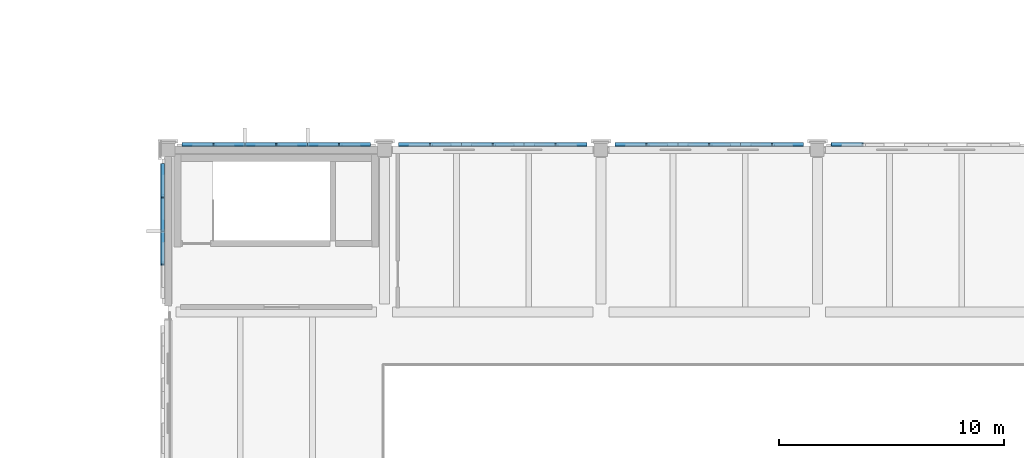
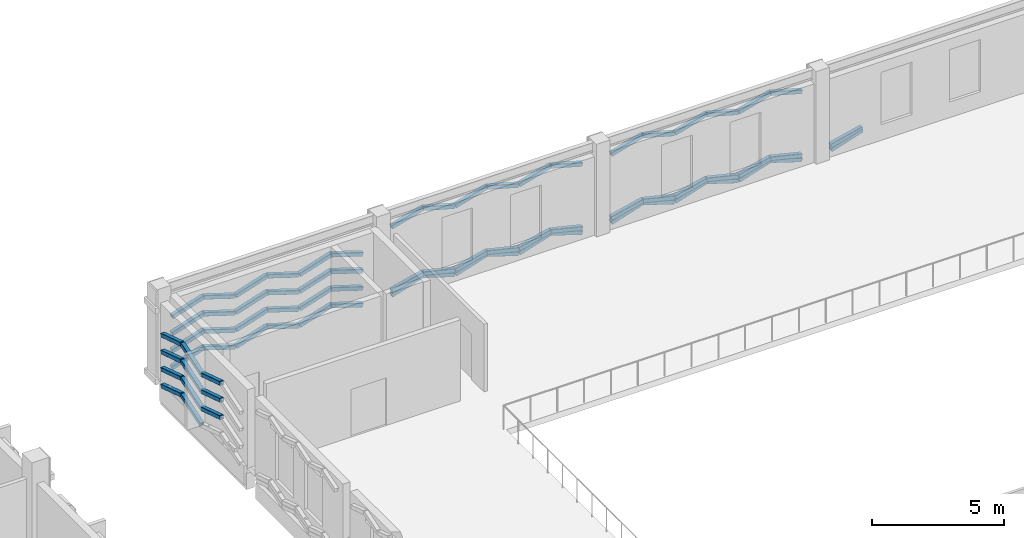
# One storey, part 143 of 180: 73 plates.
"""IFC4 building model written with IfcOpenShell, lengths in metres."""

import ifcopenshell
import ifcopenshell.guid

model = None  # the IFC model being written
_history = None  # IfcOwnerHistory: only IFC2X3 demands one
_inside = {}  # id of a spatial element -> (the spatial element, [elements in it])
_under = {}  # id of a project, library or spatial element -> (it, [spatial elements below it])
_declared = {}  # id of a project -> (the project, [libraries it declares])
_typed = {}  # id of a type object -> (the type object, [elements of that type])
_made_of = {}  # id of a material, layer set ... -> (it, [elements and type objects made of it])


def new_model(schema):
    """Start an empty IFC model of exactly this schema.

    Asked for "IFC4X3", IfcOpenShell would pick the latest addendum, in which some entities
    have other attributes; the version numbers below select the first issue.
    IFC2X3 requires an IfcOwnerHistory on every rooted entity: one is made here for all.
    """
    global model, _history
    if schema == "IFC4X3":
        model = ifcopenshell.file(schema_version=(4, 3, 0, 0))
    else:
        model = ifcopenshell.file(schema=schema)
    _inside.clear()
    _under.clear()
    _declared.clear()
    _typed.clear()
    _made_of.clear()
    _history = None
    if model.schema == "IFC2X3":
        org = make("IfcOrganization", Name="unknown")
        user = make(
            "IfcPersonAndOrganization",
            ThePerson=make("IfcPerson", FamilyName="unknown"),
            TheOrganization=org,
        )
        app = make(
            "IfcApplication",
            ApplicationDeveloper=org,
            Version="unknown",
            ApplicationFullName="unknown",
            ApplicationIdentifier="unknown",
        )
        _history = make(
            "IfcOwnerHistory",
            OwningUser=user,
            OwningApplication=app,
            ChangeAction="ADDED",
            CreationDate=0,
        )
    return model


def make(cls, **values):
    """One entity of the class cls with the attributes given. An attribute that is None is left unset."""
    return model.create_entity(
        cls, **{name: value for name, value in values.items() if value is not None}
    )


def rooted(cls, **values):
    """An entity with a GlobalId (a new one), such as an element, a storey or a relation."""
    return make(cls, GlobalId=ifcopenshell.guid.new(), OwnerHistory=_history, **values)


def si_unit(unit_type, name, prefix=None):
    """IfcSIUnit, for example si_unit("LENGTHUNIT", "METRE", prefix="MILLI")."""
    return make("IfcSIUnit", UnitType=unit_type, Prefix=prefix, Name=name)


def assignment(units):
    """IfcUnitAssignment: the units of a project."""
    return None if units is None else make("IfcUnitAssignment", Units=units)


def point(xyz):
    """IfcCartesianPoint."""
    return None if xyz is None else make("IfcCartesianPoint", Coordinates=xyz)


def direction(xyz):
    """IfcDirection."""
    return None if xyz is None else make("IfcDirection", DirectionRatios=xyz)


def frame(location, z_axis=None, x_axis=None):
    """IfcAxis2Placement3D, a coordinate frame: its origin and axes. An axis left out is left unset."""
    return make(
        "IfcAxis2Placement3D",
        Location=point(location),
        Axis=direction(z_axis),
        RefDirection=direction(x_axis),
    )


def frame_2d(location, x_axis=None):
    """IfcAxis2Placement2D, a coordinate frame in the plane: its origin and x axis."""
    return make(
        "IfcAxis2Placement2D", Location=point(location), RefDirection=direction(x_axis)
    )


def origin():
    """The frame at (0, 0, 0) with its axes left unset."""
    return frame((0.0, 0.0, 0.0))


def origin_2d():
    """The frame at (0, 0) in the plane with its x axis left unset."""
    return frame_2d((0.0, 0.0))


def place(relative_to, where):
    """IfcLocalPlacement: puts the frame where relative to a parent placement (None: the world)."""
    return make(
        "IfcLocalPlacement", PlacementRelTo=relative_to, RelativePlacement=where
    )


def context(
    kind, dimensions, precision=None, world=None, true_north=None, identifier=None
):
    """IfcGeometricRepresentationContext, for example the 3D "Model" context."""
    return make(
        "IfcGeometricRepresentationContext",
        ContextIdentifier=identifier,
        ContextType=kind,
        CoordinateSpaceDimension=dimensions,
        Precision=precision,
        WorldCoordinateSystem=world,
        TrueNorth=true_north,
    )


def subcontext(parent, identifier, kind, view, scale=None):
    """IfcGeometricRepresentationSubContext, for example "Body" below "Model"."""
    return make(
        "IfcGeometricRepresentationSubContext",
        ContextIdentifier=identifier,
        ContextType=kind,
        ParentContext=parent,
        TargetScale=scale,
        TargetView=view,
    )


def project(units=None, contexts=None):
    """IfcProject with its units and contexts."""
    return rooted(
        "IfcProject",
        Name="project",
        RepresentationContexts=contexts,
        UnitsInContext=assignment(units),
    )


def spatial(cls, under=None, at=None, **own):
    """A site, building, storey or space (cls), placed at a placement, below another one or the project."""
    s = rooted(cls, ObjectPlacement=at, **own)
    if under is not None:
        _under.setdefault(under.id(), (under, []))[1].append(s)
    return s


def profile(cls, at=None, kind="AREA", **sizes):
    """A parametric profile (cls). Its sizes go by their IFC names, for example OverallWidth=200.0."""
    return make(cls, ProfileType=kind, Position=at, **sizes)


def hollow_rectangle(**sizes):
    """IfcRectangleHollowProfileDef."""
    return profile("IfcRectangleHollowProfileDef", **sizes)


def extrude(swept, where, along, depth):
    """IfcExtrudedAreaSolid: the profile swept, set in the frame where, extruded along a direction by depth."""
    return make(
        "IfcExtrudedAreaSolid",
        SweptArea=swept,
        Position=where,
        ExtrudedDirection=direction(along),
        Depth=depth,
    )


def shape(context_of_items, identifier, shape_type, items):
    """IfcShapeRepresentation: the items that make up one representation, for example the "Body"."""
    return make(
        "IfcShapeRepresentation",
        ContextOfItems=context_of_items,
        RepresentationIdentifier=identifier,
        RepresentationType=shape_type,
        Items=items,
    )


def material(Name=None, Category=None):
    """IfcMaterial."""
    return make("IfcMaterial", Name=Name, Category=Category)


def material_profile(
    of_material, cross_section, Name=None, Category=None, Priority=None
):
    """IfcMaterialProfile: a cross section and its material."""
    return make(
        "IfcMaterialProfile",
        Name=Name,
        Material=of_material,
        Profile=cross_section,
        Priority=Priority,
        Category=Category,
    )


def profile_set(profiles, Name=None, composite=None):
    """IfcMaterialProfileSet."""
    return make(
        "IfcMaterialProfileSet",
        Name=Name,
        MaterialProfiles=profiles,
        CompositeProfile=composite,
    )


def made_of(thing, what):
    """Note that an element or type object is made of a material, layer set ...; save() writes the relation."""
    if what is not None:
        _made_of.setdefault(what.id(), (what, []))[1].append(thing)
    return thing


def type_object(cls, material=None, **own):
    """A type object (cls), such as IfcWallType, which elements share."""
    return made_of(rooted(cls, **own), material)


def element(
    cls,
    number,
    at=None,
    inside=None,
    cuts=None,
    type_object=None,
    material=None,
    context=None,
    identifier="Body",
    shape_type=None,
    held_by="IfcProductDefinitionShape",
    body=None,
    shapes=None,
    **own,
):
    """One element of the class cls, such as IfcWall. Its Tag is "e" and its number.

    at: its placement. inside: the storey or other place that contains it. cuts: it is an
    opening in that element (IfcRelVoidsElement). A single representation is given by context,
    identifier, shape_type and body (its items); several are given by shapes. held_by: the class
    of the entity that holds the representations. save() writes the other relations.
    """
    e = rooted(cls, Tag="e%d" % number, ObjectPlacement=at, **own)
    if body is not None:
        shapes = [shape(context, identifier, shape_type, body)]
    if shapes is not None:
        e.Representation = make(held_by, Representations=shapes)
    if inside is not None:
        _inside.setdefault(inside.id(), (inside, []))[1].append(e)
    if cuts is not None:
        rooted(
            "IfcRelVoidsElement", RelatingBuildingElement=cuts, RelatedOpeningElement=e
        )
    if type_object is not None:
        _typed.setdefault(type_object.id(), (type_object, []))[1].append(e)
    return made_of(e, material)


def aggregate(whole, parts):
    """IfcRelAggregates: a whole, such as a stair, and the parts it consists of."""
    return rooted("IfcRelAggregates", RelatingObject=whole, RelatedObjects=parts)


def save(model, path):
    """Write the relations noted so far, then the file.

    IfcRelAggregates (storeys below a building ...), IfcRelContainedInSpatialStructure (elements
    in a storey), IfcRelDefinesByType, IfcRelAssociatesMaterial and IfcRelDeclares: one each for
    every whole, place, type object, material and project.
    """
    for whole, parts in _under.values():
        aggregate(whole, parts)
    for where, things in _inside.values():
        rooted(
            "IfcRelContainedInSpatialStructure",
            RelatedElements=things,
            RelatingStructure=where,
        )
    for kind, things in _typed.values():
        rooted("IfcRelDefinesByType", RelatedObjects=things, RelatingType=kind)
    for what, things in _made_of.values():
        rooted("IfcRelAssociatesMaterial", RelatedObjects=things, RelatingMaterial=what)
    for by, libraries in _declared.values():
        rooted("IfcRelDeclares", RelatingContext=by, RelatedDefinitions=libraries)
    model.write(path)


model = new_model("IFC4")

# Units and contexts
model_context = context("Model", 3, precision=1e-05, world=origin(), true_north=direction((0.0, 1.0)))
body_context = subcontext(model_context, "Body", "Model", "MODEL_VIEW")
ifc_project = project(units=[si_unit("LENGTHUNIT", "METRE"), si_unit("AREAUNIT", "SQUARE_METRE"), si_unit("VOLUMEUNIT", "CUBIC_METRE"), si_unit("PLANEANGLEUNIT", "RADIAN"), si_unit("MASSUNIT", "GRAM", prefix="KILO")], contexts=[model_context])

# Site, building, storey
site_placement = place(None, origin())
site = spatial("IfcSite", under=ifc_project, at=site_placement, CompositionType="ELEMENT")
building_placement = place(site_placement, origin())
building = spatial("IfcBuilding", under=site, at=building_placement, Name="Asteropetra Specialist Clinic", CompositionType="ELEMENT")
storey_placement = place(building_placement, frame((0.0, 0.0, 4.419921875)))
storey = spatial("IfcBuildingStorey", under=building, at=storey_placement, Name="L01", CompositionType="ELEMENT", Elevation=4.419921875)

# Plates
ifc_material = material(Name="Chevron emerald aluminium 6063-T6", Category="aluminium")
ifc_material_profile = material_profile(ifc_material, hollow_rectangle(XDim=0.179931640625, YDim=0.179931640625, WallThickness=0.010009765625, InnerFilletRadius=0.008056640625, OuterFilletRadius=0.01611328125, at=origin_2d()), Name="SHS 180x180x10.0")
ifc_profile_set = profile_set([ifc_material_profile], Name="Chevron emerald aluminium 6063-T6")
plate_type = type_object("IfcPlateType", Name="CHV-RIB-180", PredefinedType="SHEET", material=ifc_profile_set)
plate_1_placement = place(storey_placement, frame((95.360107421875, 105.842041015625, 0.050048828125), z_axis=(-0.952473286797, 0.0, 0.304622123191), x_axis=(0.0, -1.0, 0.0)))
element("IfcPlate", 1, at=plate_1_placement, inside=storey, type_object=plate_type, Name="Chevron Facade Screen Fin CVR-0019", PredefinedType="SHEET", context=body_context, shape_type="SweptSolid", body=[
    extrude(hollow_rectangle(XDim=0.179931640625, YDim=0.179931640625, WallThickness=0.010009765625, InnerFilletRadius=0.008056640625, OuterFilletRadius=0.01611328125, at=origin_2d()), origin(), (0.0, 0.0, 1.0), 1.44189453125),
])
plate_2_placement = place(storey_placement, frame((93.98681640625, 105.842041015625, 0.4892578125), z_axis=(-0.952488995782, 0.0, -0.304573000962), x_axis=(0.0, -1.0, 0.0)))
element("IfcPlate", 2, at=plate_2_placement, inside=storey, type_object=plate_type, Name="Chevron Facade Screen Fin CVR-0020", PredefinedType="SHEET", context=body_context, shape_type="SweptSolid", body=[
    extrude(hollow_rectangle(XDim=0.179931640625, YDim=0.179931640625, WallThickness=0.010009765625, InnerFilletRadius=0.008056640625, OuterFilletRadius=0.01611328125, at=origin_2d()), origin(), (0.0, 0.0, 1.0), 1.442138671875),
])
plate_3_placement = place(storey_placement, frame((95.360107421875, 105.842041015625, 0.820068359375), z_axis=(-0.952473286797, 0.0, 0.304622123191), x_axis=(0.0, -1.0, 0.0)))
element("IfcPlate", 3, at=plate_3_placement, inside=storey, type_object=plate_type, Name="Chevron Facade Screen Fin CVR-0021", PredefinedType="SHEET", context=body_context, shape_type="SweptSolid", body=[
    extrude(hollow_rectangle(XDim=0.179931640625, YDim=0.179931640625, WallThickness=0.010009765625, InnerFilletRadius=0.008056640625, OuterFilletRadius=0.01611328125, at=origin_2d()), origin(), (0.0, 0.0, 1.0), 1.44189453125),
])
plate_4_placement = place(storey_placement, frame((93.98681640625, 105.842041015625, 1.25927734375), z_axis=(-0.952488995782, 0.0, -0.304573000962), x_axis=(0.0, -1.0, 0.0)))
element("IfcPlate", 4, at=plate_4_placement, inside=storey, type_object=plate_type, Name="Chevron Facade Screen Fin CVR-0022", PredefinedType="SHEET", context=body_context, shape_type="SweptSolid", body=[
    extrude(hollow_rectangle(XDim=0.179931640625, YDim=0.179931640625, WallThickness=0.010009765625, InnerFilletRadius=0.008056640625, OuterFilletRadius=0.01611328125, at=origin_2d()), origin(), (0.0, 0.0, 1.0), 1.442138671875),
])
plate_5_placement = place(storey_placement, frame((95.360107421875, 105.842041015625, 1.6201171875), z_axis=(-0.952473286797, 0.0, 0.304622123191), x_axis=(0.0, -1.0, 0.0)))
element("IfcPlate", 5, at=plate_5_placement, inside=storey, type_object=plate_type, Name="Chevron Facade Screen Fin CVR-0023", PredefinedType="SHEET", context=body_context, shape_type="SweptSolid", body=[
    extrude(hollow_rectangle(XDim=0.179931640625, YDim=0.179931640625, WallThickness=0.010009765625, InnerFilletRadius=0.008056640625, OuterFilletRadius=0.01611328125, at=origin_2d()), origin(), (0.0, 0.0, 1.0), 1.44189453125),
])
plate_6_placement = place(storey_placement, frame((93.98681640625, 105.842041015625, 2.059326171875), z_axis=(-0.952488995782, 0.0, -0.304573000962), x_axis=(0.0, -1.0, 0.0)))
element("IfcPlate", 6, at=plate_6_placement, inside=storey, type_object=plate_type, Name="Chevron Facade Screen Fin CVR-0024", PredefinedType="SHEET", context=body_context, shape_type="SweptSolid", body=[
    extrude(hollow_rectangle(XDim=0.179931640625, YDim=0.179931640625, WallThickness=0.010009765625, InnerFilletRadius=0.008056640625, OuterFilletRadius=0.01611328125, at=origin_2d()), origin(), (0.0, 0.0, 1.0), 1.442138671875),
])
plate_7_placement = place(storey_placement, frame((95.360107421875, 105.842041015625, 2.400146484375), z_axis=(-0.952473286797, 0.0, 0.304622123191), x_axis=(0.0, -1.0, 0.0)))
element("IfcPlate", 7, at=plate_7_placement, inside=storey, type_object=plate_type, Name="Chevron Facade Screen Fin CVR-0025", PredefinedType="SHEET", context=body_context, shape_type="SweptSolid", body=[
    extrude(hollow_rectangle(XDim=0.179931640625, YDim=0.179931640625, WallThickness=0.010009765625, InnerFilletRadius=0.008056640625, OuterFilletRadius=0.01611328125, at=origin_2d()), origin(), (0.0, 0.0, 1.0), 1.44189453125),
])
plate_8_placement = place(storey_placement, frame((93.98681640625, 105.842041015625, 2.83935546875), z_axis=(-0.952488995782, 0.0, -0.304573000962), x_axis=(0.0, -1.0, 0.0)))
element("IfcPlate", 8, at=plate_8_placement, inside=storey, type_object=plate_type, Name="Chevron Facade Screen Fin CVR-0026", PredefinedType="SHEET", context=body_context, shape_type="SweptSolid", body=[
    extrude(hollow_rectangle(XDim=0.179931640625, YDim=0.179931640625, WallThickness=0.010009765625, InnerFilletRadius=0.008056640625, OuterFilletRadius=0.01611328125, at=origin_2d()), origin(), (0.0, 0.0, 1.0), 1.442138671875),
])
for number, where, z_axis, x_axis, name in (
    (9, (92.5732421875, 105.842041015625, 0.050048828125), (-0.952473286797, 0.0, 0.304622123191), (0.0, -1.0, 0.0), "Chevron Facade Screen Fin CVR-0027"),
    (10, (91.199951171875, 105.842041015625, 0.4892578125), (-0.952473286797, 0.0, -0.304622123191), (0.0, -1.0, 0.0), "Chevron Facade Screen Fin CVR-0028"),
    (11, (92.5732421875, 105.842041015625, 0.820068359375), (-0.952473286797, 0.0, 0.304622123191), (0.0, -1.0, 0.0), "Chevron Facade Screen Fin CVR-0029"),
    (12, (91.199951171875, 105.842041015625, 1.25927734375), (-0.952473286797, 0.0, -0.304622123191), (0.0, -1.0, 0.0), "Chevron Facade Screen Fin CVR-0030"),
    (13, (92.5732421875, 105.842041015625, 1.6201171875), (-0.952473286797, 0.0, 0.304622123191), (0.0, -1.0, 0.0), "Chevron Facade Screen Fin CVR-0031"),
    (14, (91.199951171875, 105.842041015625, 2.059326171875), (-0.952473286797, 0.0, -0.304622123191), (0.0, -1.0, 0.0), "Chevron Facade Screen Fin CVR-0032"),
    (15, (92.5732421875, 105.842041015625, 2.400146484375), (-0.952473286797, 0.0, 0.304622123191), (0.0, -1.0, 0.0), "Chevron Facade Screen Fin CVR-0033"),
    (16, (91.199951171875, 105.842041015625, 2.83935546875), (-0.952473286797, 0.0, -0.304622123191), (0.0, -1.0, 0.0), "Chevron Facade Screen Fin CVR-0034"),
    (17, (89.78662109375, 105.842041015625, 0.050048828125), (-0.952473286797, 0.0, 0.304622123191), (0.0, -1.0, 0.0), "Chevron Facade Screen Fin CVR-0035"),
    (18, (88.413330078125, 105.842041015625, 0.4892578125), (-0.952473286797, 0.0, -0.304622123191), (0.0, -1.0, 0.0), "Chevron Facade Screen Fin CVR-0036"),
    (19, (89.78662109375, 105.842041015625, 0.820068359375), (-0.952473286797, 0.0, 0.304622123191), (0.0, -1.0, 0.0), "Chevron Facade Screen Fin CVR-0037"),
    (20, (88.413330078125, 105.842041015625, 1.25927734375), (-0.952473286797, 0.0, -0.304622123191), (0.0, -1.0, 0.0), "Chevron Facade Screen Fin CVR-0038"),
    (21, (89.78662109375, 105.842041015625, 1.6201171875), (-0.952473286797, 0.0, 0.304622123191), (0.0, -1.0, 0.0), "Chevron Facade Screen Fin CVR-0039"),
    (22, (88.413330078125, 105.842041015625, 2.059326171875), (-0.952473286797, 0.0, -0.304622123191), (0.0, -1.0, 0.0), "Chevron Facade Screen Fin CVR-0040"),
    (23, (89.78662109375, 105.842041015625, 2.400146484375), (-0.952473286797, 0.0, 0.304622123191), (0.0, -1.0, 0.0), "Chevron Facade Screen Fin CVR-0041"),
    (24, (88.413330078125, 105.842041015625, 2.83935546875), (-0.952473286797, 0.0, -0.304622123191), (0.0, -1.0, 0.0), "Chevron Facade Screen Fin CVR-0042"),
    (25, (104.9599609375, 105.842041015625, 0.0400390625), (-0.952424147199, 0.0, 0.304775727104), (0.0, -1.0, 0.0), "Chevron Facade Screen Fin CVR-0061"),
    (26, (103.586669921875, 105.842041015625, 0.4794921875), (-0.952424147199, 0.0, -0.304775727104), (0.0, -1.0, 0.0), "Chevron Facade Screen Fin CVR-0062"),
):
    element("IfcPlate", number, at=place(storey_placement, frame(where, z_axis=z_axis, x_axis=x_axis)), inside=storey, type_object=plate_type, Name=name, PredefinedType="SHEET", context=body_context, shape_type="SweptSolid", body=[
        extrude(hollow_rectangle(XDim=0.179931640625, YDim=0.179931640625, WallThickness=0.010009765625, InnerFilletRadius=0.008056640625, OuterFilletRadius=0.01611328125, at=origin_2d()), origin(), (0.0, 0.0, 1.0), 1.44189453125),
    ])
for number, where, z_axis, x_axis, name in (
    (27, (104.9599609375, 105.842041015625, 0.239990234375), (-0.972308795496, 0.0, 0.233699820713), (0.0, -1.0, 0.0), "Chevron Facade Screen Fin CVR-0063"),
    (28, (103.586669921875, 105.842041015625, 0.570068359375), (-0.972308795496, 0.0, -0.233699820713), (0.0, -1.0, 0.0), "Chevron Facade Screen Fin CVR-0064"),
):
    element("IfcPlate", number, at=place(storey_placement, frame(where, z_axis=z_axis, x_axis=x_axis)), inside=storey, type_object=plate_type, Name=name, PredefinedType="SHEET", context=body_context, shape_type="SweptSolid", body=[
        extrude(hollow_rectangle(XDim=0.179931640625, YDim=0.179931640625, WallThickness=0.010009765625, InnerFilletRadius=0.008056640625, OuterFilletRadius=0.01611328125, at=origin_2d()), origin(), (0.0, 0.0, 1.0), 1.412353515625),
    ])
for number, where, z_axis, x_axis, name in (
    (29, (104.9599609375, 105.842041015625, 3.190185546875), (-0.96198081159, 0.0, 0.273117041086), (0.0, -1.0, 0.0), "Chevron Facade Screen Fin CVR-0065"),
    (30, (103.586669921875, 105.842041015625, 3.580078125), (-0.96198081159, 0.0, -0.273117041086), (0.0, -1.0, 0.0), "Chevron Facade Screen Fin CVR-0066"),
):
    element("IfcPlate", number, at=place(storey_placement, frame(where, z_axis=z_axis, x_axis=x_axis)), inside=storey, type_object=plate_type, Name=name, PredefinedType="SHEET", context=body_context, shape_type="SweptSolid", body=[
        extrude(hollow_rectangle(XDim=0.179931640625, YDim=0.179931640625, WallThickness=0.010009765625, InnerFilletRadius=0.008056640625, OuterFilletRadius=0.01611328125, at=origin_2d()), origin(), (0.0, 0.0, 1.0), 1.427490234375),
    ])
for number, where, z_axis, x_axis, name in (
    (31, (102.17333984375, 105.842041015625, 0.0400390625), (-0.952424147199, 0.0, 0.304775727104), (0.0, -1.0, 0.0), "Chevron Facade Screen Fin CVR-0067"),
    (32, (100.800048828125, 105.842041015625, 0.4794921875), (-0.952424147199, 0.0, -0.304775727104), (0.0, -1.0, 0.0), "Chevron Facade Screen Fin CVR-0068"),
):
    element("IfcPlate", number, at=place(storey_placement, frame(where, z_axis=z_axis, x_axis=x_axis)), inside=storey, type_object=plate_type, Name=name, PredefinedType="SHEET", context=body_context, shape_type="SweptSolid", body=[
        extrude(hollow_rectangle(XDim=0.179931640625, YDim=0.179931640625, WallThickness=0.010009765625, InnerFilletRadius=0.008056640625, OuterFilletRadius=0.01611328125, at=origin_2d()), origin(), (0.0, 0.0, 1.0), 1.44189453125),
    ])
for number, where, z_axis, x_axis, name in (
    (33, (102.17333984375, 105.842041015625, 0.239990234375), (-0.972308795496, 0.0, 0.233699820713), (0.0, -1.0, 0.0), "Chevron Facade Screen Fin CVR-0069"),
    (34, (100.800048828125, 105.842041015625, 0.570068359375), (-0.972308795496, 0.0, -0.233699820713), (0.0, -1.0, 0.0), "Chevron Facade Screen Fin CVR-0070"),
):
    element("IfcPlate", number, at=place(storey_placement, frame(where, z_axis=z_axis, x_axis=x_axis)), inside=storey, type_object=plate_type, Name=name, PredefinedType="SHEET", context=body_context, shape_type="SweptSolid", body=[
        extrude(hollow_rectangle(XDim=0.179931640625, YDim=0.179931640625, WallThickness=0.010009765625, InnerFilletRadius=0.008056640625, OuterFilletRadius=0.01611328125, at=origin_2d()), origin(), (0.0, 0.0, 1.0), 1.412353515625),
    ])
for number, where, z_axis, x_axis, name in (
    (35, (102.17333984375, 105.842041015625, 3.190185546875), (-0.96198081159, 0.0, 0.273117041086), (0.0, -1.0, 0.0), "Chevron Facade Screen Fin CVR-0071"),
    (36, (100.800048828125, 105.842041015625, 3.580078125), (-0.96198081159, 0.0, -0.273117041086), (0.0, -1.0, 0.0), "Chevron Facade Screen Fin CVR-0072"),
):
    element("IfcPlate", number, at=place(storey_placement, frame(where, z_axis=z_axis, x_axis=x_axis)), inside=storey, type_object=plate_type, Name=name, PredefinedType="SHEET", context=body_context, shape_type="SweptSolid", body=[
        extrude(hollow_rectangle(XDim=0.179931640625, YDim=0.179931640625, WallThickness=0.010009765625, InnerFilletRadius=0.008056640625, OuterFilletRadius=0.01611328125, at=origin_2d()), origin(), (0.0, 0.0, 1.0), 1.427490234375),
    ])
plate_9_placement = place(storey_placement, frame((99.38671875, 105.842041015625, 0.0400390625), z_axis=(-0.952439871219, 0.0, 0.304726585175), x_axis=(0.0, -1.0, 0.0)))
element("IfcPlate", 37, at=plate_9_placement, inside=storey, type_object=plate_type, Name="Chevron Facade Screen Fin CVR-0073", PredefinedType="SHEET", context=body_context, shape_type="SweptSolid", body=[
    extrude(hollow_rectangle(XDim=0.179931640625, YDim=0.179931640625, WallThickness=0.010009765625, InnerFilletRadius=0.008056640625, OuterFilletRadius=0.01611328125, at=origin_2d()), origin(), (0.0, 0.0, 1.0), 1.442138671875),
])
plate_10_placement = place(storey_placement, frame((98.01318359375, 105.842041015625, 0.4794921875), z_axis=(-0.952424147199, 0.0, -0.304775727104), x_axis=(0.0, -1.0, 0.0)))
element("IfcPlate", 38, at=plate_10_placement, inside=storey, type_object=plate_type, Name="Chevron Facade Screen Fin CVR-0074", PredefinedType="SHEET", context=body_context, shape_type="SweptSolid", body=[
    extrude(hollow_rectangle(XDim=0.179931640625, YDim=0.179931640625, WallThickness=0.010009765625, InnerFilletRadius=0.008056640625, OuterFilletRadius=0.01611328125, at=origin_2d()), origin(), (0.0, 0.0, 1.0), 1.44189453125),
])
plate_11_placement = place(storey_placement, frame((99.38671875, 105.842041015625, 0.239990234375), z_axis=(-0.972318233691, 0.0, 0.233660549582), x_axis=(0.0, -1.0, 0.0)))
element("IfcPlate", 39, at=plate_11_placement, inside=storey, type_object=plate_type, Name="Chevron Facade Screen Fin CVR-0075", PredefinedType="SHEET", context=body_context, shape_type="SweptSolid", body=[
    extrude(hollow_rectangle(XDim=0.179931640625, YDim=0.179931640625, WallThickness=0.010009765625, InnerFilletRadius=0.008056640625, OuterFilletRadius=0.01611328125, at=origin_2d()), origin(), (0.0, 0.0, 1.0), 1.41259765625),
])
plate_12_placement = place(storey_placement, frame((98.01318359375, 105.842041015625, 0.570068359375), z_axis=(-0.972308795496, 0.0, -0.233699820713), x_axis=(0.0, -1.0, 0.0)))
element("IfcPlate", 40, at=plate_12_placement, inside=storey, type_object=plate_type, Name="Chevron Facade Screen Fin CVR-0076", PredefinedType="SHEET", context=body_context, shape_type="SweptSolid", body=[
    extrude(hollow_rectangle(XDim=0.179931640625, YDim=0.179931640625, WallThickness=0.010009765625, InnerFilletRadius=0.008056640625, OuterFilletRadius=0.01611328125, at=origin_2d()), origin(), (0.0, 0.0, 1.0), 1.412353515625),
])
plate_13_placement = place(storey_placement, frame((99.38671875, 105.842041015625, 3.190185546875), z_axis=(-0.961993565235, 0.0, 0.273072115834), x_axis=(0.0, -1.0, 0.0)))
element("IfcPlate", 41, at=plate_13_placement, inside=storey, type_object=plate_type, Name="Chevron Facade Screen Fin CVR-0077", PredefinedType="SHEET", context=body_context, shape_type="SweptSolid", body=[
    extrude(hollow_rectangle(XDim=0.179931640625, YDim=0.179931640625, WallThickness=0.010009765625, InnerFilletRadius=0.008056640625, OuterFilletRadius=0.01611328125, at=origin_2d()), origin(), (0.0, 0.0, 1.0), 1.427734375),
])
plate_14_placement = place(storey_placement, frame((98.01318359375, 105.842041015625, 3.580078125), z_axis=(-0.96198081159, 0.0, -0.273117041086), x_axis=(0.0, -1.0, 0.0)))
element("IfcPlate", 42, at=plate_14_placement, inside=storey, type_object=plate_type, Name="Chevron Facade Screen Fin CVR-0078", PredefinedType="SHEET", context=body_context, shape_type="SweptSolid", body=[
    extrude(hollow_rectangle(XDim=0.179931640625, YDim=0.179931640625, WallThickness=0.010009765625, InnerFilletRadius=0.008056640625, OuterFilletRadius=0.01611328125, at=origin_2d()), origin(), (0.0, 0.0, 1.0), 1.427490234375),
])
plate_15_placement = place(storey_placement, frame((114.56005859375, 105.842041015625, 0.0400390625), z_axis=(-0.952424147199, 0.0, 0.304775727104), x_axis=(0.0, -1.0, 0.0)))
element("IfcPlate", 43, at=plate_15_placement, inside=storey, type_object=plate_type, Name="Chevron Facade Screen Fin CVR-0097", PredefinedType="SHEET", context=body_context, shape_type="SweptSolid", body=[
    extrude(hollow_rectangle(XDim=0.179931640625, YDim=0.179931640625, WallThickness=0.010009765625, InnerFilletRadius=0.008056640625, OuterFilletRadius=0.01611328125, at=origin_2d()), origin(), (0.0, 0.0, 1.0), 1.44189453125),
])
plate_16_placement = place(storey_placement, frame((113.186767578125, 105.842041015625, 0.4794921875), z_axis=(-0.952439871219, 0.0, -0.304726585175), x_axis=(0.0, -1.0, 0.0)))
element("IfcPlate", 44, at=plate_16_placement, inside=storey, type_object=plate_type, Name="Chevron Facade Screen Fin CVR-0098", PredefinedType="SHEET", context=body_context, shape_type="SweptSolid", body=[
    extrude(hollow_rectangle(XDim=0.179931640625, YDim=0.179931640625, WallThickness=0.010009765625, InnerFilletRadius=0.008056640625, OuterFilletRadius=0.01611328125, at=origin_2d()), origin(), (0.0, 0.0, 1.0), 1.442138671875),
])
plate_17_placement = place(storey_placement, frame((114.56005859375, 105.842041015625, 0.239990234375), z_axis=(-0.972308795496, 0.0, 0.233699820713), x_axis=(0.0, -1.0, 0.0)))
element("IfcPlate", 45, at=plate_17_placement, inside=storey, type_object=plate_type, Name="Chevron Facade Screen Fin CVR-0099", PredefinedType="SHEET", context=body_context, shape_type="SweptSolid", body=[
    extrude(hollow_rectangle(XDim=0.179931640625, YDim=0.179931640625, WallThickness=0.010009765625, InnerFilletRadius=0.008056640625, OuterFilletRadius=0.01611328125, at=origin_2d()), origin(), (0.0, 0.0, 1.0), 1.412353515625),
])
plate_18_placement = place(storey_placement, frame((113.186767578125, 105.842041015625, 0.570068359375), z_axis=(-0.972318233691, 0.0, -0.233660549582), x_axis=(0.0, -1.0, 0.0)))
element("IfcPlate", 46, at=plate_18_placement, inside=storey, type_object=plate_type, Name="Chevron Facade Screen Fin CVR-0100", PredefinedType="SHEET", context=body_context, shape_type="SweptSolid", body=[
    extrude(hollow_rectangle(XDim=0.179931640625, YDim=0.179931640625, WallThickness=0.010009765625, InnerFilletRadius=0.008056640625, OuterFilletRadius=0.01611328125, at=origin_2d()), origin(), (0.0, 0.0, 1.0), 1.41259765625),
])
plate_19_placement = place(storey_placement, frame((114.56005859375, 105.842041015625, 3.190185546875), z_axis=(-0.96198081159, 0.0, 0.273117041086), x_axis=(0.0, -1.0, 0.0)))
element("IfcPlate", 47, at=plate_19_placement, inside=storey, type_object=plate_type, Name="Chevron Facade Screen Fin CVR-0101", PredefinedType="SHEET", context=body_context, shape_type="SweptSolid", body=[
    extrude(hollow_rectangle(XDim=0.179931640625, YDim=0.179931640625, WallThickness=0.010009765625, InnerFilletRadius=0.008056640625, OuterFilletRadius=0.01611328125, at=origin_2d()), origin(), (0.0, 0.0, 1.0), 1.427490234375),
])
plate_20_placement = place(storey_placement, frame((113.186767578125, 105.842041015625, 3.580078125), z_axis=(-0.961993565235, 0.0, -0.273072115834), x_axis=(0.0, -1.0, 0.0)))
element("IfcPlate", 48, at=plate_20_placement, inside=storey, type_object=plate_type, Name="Chevron Facade Screen Fin CVR-0102", PredefinedType="SHEET", context=body_context, shape_type="SweptSolid", body=[
    extrude(hollow_rectangle(XDim=0.179931640625, YDim=0.179931640625, WallThickness=0.010009765625, InnerFilletRadius=0.008056640625, OuterFilletRadius=0.01611328125, at=origin_2d()), origin(), (0.0, 0.0, 1.0), 1.427734375),
])
for number, where, z_axis, x_axis, name in (
    (49, (111.773193359375, 105.842041015625, 0.0400390625), (-0.952424147199, 0.0, 0.304775727104), (0.0, -1.0, 0.0), "Chevron Facade Screen Fin CVR-0103"),
    (50, (110.39990234375, 105.842041015625, 0.4794921875), (-0.952424147199, 0.0, -0.304775727104), (0.0, -1.0, 0.0), "Chevron Facade Screen Fin CVR-0104"),
):
    element("IfcPlate", number, at=place(storey_placement, frame(where, z_axis=z_axis, x_axis=x_axis)), inside=storey, type_object=plate_type, Name=name, PredefinedType="SHEET", context=body_context, shape_type="SweptSolid", body=[
        extrude(hollow_rectangle(XDim=0.179931640625, YDim=0.179931640625, WallThickness=0.010009765625, InnerFilletRadius=0.008056640625, OuterFilletRadius=0.01611328125, at=origin_2d()), origin(), (0.0, 0.0, 1.0), 1.44189453125),
    ])
for number, where, z_axis, x_axis, name in (
    (51, (111.773193359375, 105.842041015625, 0.239990234375), (-0.972308795496, 0.0, 0.233699820713), (0.0, -1.0, 0.0), "Chevron Facade Screen Fin CVR-0105"),
    (52, (110.39990234375, 105.842041015625, 0.570068359375), (-0.972308795496, 0.0, -0.233699820713), (0.0, -1.0, 0.0), "Chevron Facade Screen Fin CVR-0106"),
):
    element("IfcPlate", number, at=place(storey_placement, frame(where, z_axis=z_axis, x_axis=x_axis)), inside=storey, type_object=plate_type, Name=name, PredefinedType="SHEET", context=body_context, shape_type="SweptSolid", body=[
        extrude(hollow_rectangle(XDim=0.179931640625, YDim=0.179931640625, WallThickness=0.010009765625, InnerFilletRadius=0.008056640625, OuterFilletRadius=0.01611328125, at=origin_2d()), origin(), (0.0, 0.0, 1.0), 1.412353515625),
    ])
for number, where, z_axis, x_axis, name in (
    (53, (111.773193359375, 105.842041015625, 3.190185546875), (-0.96198081159, 0.0, 0.273117041086), (0.0, -1.0, 0.0), "Chevron Facade Screen Fin CVR-0107"),
    (54, (110.39990234375, 105.842041015625, 3.580078125), (-0.96198081159, 0.0, -0.273117041086), (0.0, -1.0, 0.0), "Chevron Facade Screen Fin CVR-0108"),
):
    element("IfcPlate", number, at=place(storey_placement, frame(where, z_axis=z_axis, x_axis=x_axis)), inside=storey, type_object=plate_type, Name=name, PredefinedType="SHEET", context=body_context, shape_type="SweptSolid", body=[
        extrude(hollow_rectangle(XDim=0.179931640625, YDim=0.179931640625, WallThickness=0.010009765625, InnerFilletRadius=0.008056640625, OuterFilletRadius=0.01611328125, at=origin_2d()), origin(), (0.0, 0.0, 1.0), 1.427490234375),
    ])
plate_21_placement = place(storey_placement, frame((108.98681640625, 105.842041015625, 0.0400390625), z_axis=(-0.952439871219, 0.0, 0.304726585175), x_axis=(0.0, -1.0, 0.0)))
element("IfcPlate", 55, at=plate_21_placement, inside=storey, type_object=plate_type, Name="Chevron Facade Screen Fin CVR-0109", PredefinedType="SHEET", context=body_context, shape_type="SweptSolid", body=[
    extrude(hollow_rectangle(XDim=0.179931640625, YDim=0.179931640625, WallThickness=0.010009765625, InnerFilletRadius=0.008056640625, OuterFilletRadius=0.01611328125, at=origin_2d()), origin(), (0.0, 0.0, 1.0), 1.442138671875),
])
plate_22_placement = place(storey_placement, frame((107.61328125, 105.842041015625, 0.4794921875), z_axis=(-0.952424147199, 0.0, -0.304775727104), x_axis=(0.0, -1.0, 0.0)))
element("IfcPlate", 56, at=plate_22_placement, inside=storey, type_object=plate_type, Name="Chevron Facade Screen Fin CVR-0110", PredefinedType="SHEET", context=body_context, shape_type="SweptSolid", body=[
    extrude(hollow_rectangle(XDim=0.179931640625, YDim=0.179931640625, WallThickness=0.010009765625, InnerFilletRadius=0.008056640625, OuterFilletRadius=0.01611328125, at=origin_2d()), origin(), (0.0, 0.0, 1.0), 1.44189453125),
])
plate_23_placement = place(storey_placement, frame((108.98681640625, 105.842041015625, 0.239990234375), z_axis=(-0.972318233691, 0.0, 0.233660549582), x_axis=(0.0, -1.0, 0.0)))
element("IfcPlate", 57, at=plate_23_placement, inside=storey, type_object=plate_type, Name="Chevron Facade Screen Fin CVR-0111", PredefinedType="SHEET", context=body_context, shape_type="SweptSolid", body=[
    extrude(hollow_rectangle(XDim=0.179931640625, YDim=0.179931640625, WallThickness=0.010009765625, InnerFilletRadius=0.008056640625, OuterFilletRadius=0.01611328125, at=origin_2d()), origin(), (0.0, 0.0, 1.0), 1.41259765625),
])
plate_24_placement = place(storey_placement, frame((107.61328125, 105.842041015625, 0.570068359375), z_axis=(-0.972308795496, 0.0, -0.233699820713), x_axis=(0.0, -1.0, 0.0)))
element("IfcPlate", 58, at=plate_24_placement, inside=storey, type_object=plate_type, Name="Chevron Facade Screen Fin CVR-0112", PredefinedType="SHEET", context=body_context, shape_type="SweptSolid", body=[
    extrude(hollow_rectangle(XDim=0.179931640625, YDim=0.179931640625, WallThickness=0.010009765625, InnerFilletRadius=0.008056640625, OuterFilletRadius=0.01611328125, at=origin_2d()), origin(), (0.0, 0.0, 1.0), 1.412353515625),
])
plate_25_placement = place(storey_placement, frame((108.98681640625, 105.842041015625, 3.190185546875), z_axis=(-0.961993565235, 0.0, 0.273072115834), x_axis=(0.0, -1.0, 0.0)))
element("IfcPlate", 59, at=plate_25_placement, inside=storey, type_object=plate_type, Name="Chevron Facade Screen Fin CVR-0113", PredefinedType="SHEET", context=body_context, shape_type="SweptSolid", body=[
    extrude(hollow_rectangle(XDim=0.179931640625, YDim=0.179931640625, WallThickness=0.010009765625, InnerFilletRadius=0.008056640625, OuterFilletRadius=0.01611328125, at=origin_2d()), origin(), (0.0, 0.0, 1.0), 1.427734375),
])
plate_26_placement = place(storey_placement, frame((107.61328125, 105.842041015625, 3.580078125), z_axis=(-0.96198081159, 0.0, -0.273117041086), x_axis=(0.0, -1.0, 0.0)))
element("IfcPlate", 60, at=plate_26_placement, inside=storey, type_object=plate_type, Name="Chevron Facade Screen Fin CVR-0114", PredefinedType="SHEET", context=body_context, shape_type="SweptSolid", body=[
    extrude(hollow_rectangle(XDim=0.179931640625, YDim=0.179931640625, WallThickness=0.010009765625, InnerFilletRadius=0.008056640625, OuterFilletRadius=0.01611328125, at=origin_2d()), origin(), (0.0, 0.0, 1.0), 1.427490234375),
])
plate_27_placement = place(storey_placement, frame((117.21337890625, 105.842041015625, 0.4794921875), z_axis=(-0.952424147199, 0.0, -0.304775727104), x_axis=(0.0, -1.0, 0.0)))
element("IfcPlate", 61, at=plate_27_placement, inside=storey, type_object=plate_type, Name="Chevron Facade Screen Fin CVR-0128", PredefinedType="SHEET", context=body_context, shape_type="SweptSolid", body=[
    extrude(hollow_rectangle(XDim=0.179931640625, YDim=0.179931640625, WallThickness=0.010009765625, InnerFilletRadius=0.008056640625, OuterFilletRadius=0.01611328125, at=origin_2d()), origin(), (0.0, 0.0, 1.0), 1.44189453125),
])
plate_28_placement = place(storey_placement, frame((117.21337890625, 105.842041015625, 0.570068359375), z_axis=(-0.972308795496, 0.0, -0.233699820713), x_axis=(0.0, -1.0, 0.0)))
element("IfcPlate", 62, at=plate_28_placement, inside=storey, type_object=plate_type, Name="Chevron Facade Screen Fin CVR-0130", PredefinedType="SHEET", context=body_context, shape_type="SweptSolid", body=[
    extrude(hollow_rectangle(XDim=0.179931640625, YDim=0.179931640625, WallThickness=0.010009765625, InnerFilletRadius=0.008056640625, OuterFilletRadius=0.01611328125, at=origin_2d()), origin(), (0.0, 0.0, 1.0), 1.412353515625),
])
plate_29_placement = place(storey_placement, frame((86.157958984375, 104.9599609375, 0.050048828125), z_axis=(0.0, -0.952521130358, 0.304472488449), x_axis=(1.0, 0.0, 0.0)))
element("IfcPlate", 63, at=plate_29_placement, inside=storey, type_object=plate_type, Name="Chevron Facade Screen Fin CVR-0331", PredefinedType="SHEET", context=body_context, shape_type="SweptSolid", body=[
    extrude(hollow_rectangle(XDim=0.179931640625, YDim=0.179931640625, WallThickness=0.010009765625, InnerFilletRadius=0.008056640625, OuterFilletRadius=0.01611328125, at=origin_2d()), origin(), (0.0, 0.0, 1.0), 1.54833984375),
])
plate_30_placement = place(storey_placement, frame((86.157958984375, 103.485107421875, 0.521484375), z_axis=(0.0, -0.952535744188, -0.304426766307), x_axis=(1.0, 0.0, 0.0)))
element("IfcPlate", 64, at=plate_30_placement, inside=storey, type_object=plate_type, Name="Chevron Facade Screen Fin CVR-0332", PredefinedType="SHEET", context=body_context, shape_type="SweptSolid", body=[
    extrude(hollow_rectangle(XDim=0.179931640625, YDim=0.179931640625, WallThickness=0.010009765625, InnerFilletRadius=0.008056640625, OuterFilletRadius=0.01611328125, at=origin_2d()), origin(), (0.0, 0.0, 1.0), 1.548583984375),
])
plate_31_placement = place(storey_placement, frame((86.157958984375, 104.9599609375, 0.820068359375), z_axis=(0.0, -0.952521130358, 0.304472488449), x_axis=(1.0, 0.0, 0.0)))
element("IfcPlate", 65, at=plate_31_placement, inside=storey, type_object=plate_type, Name="Chevron Facade Screen Fin CVR-0333", PredefinedType="SHEET", context=body_context, shape_type="SweptSolid", body=[
    extrude(hollow_rectangle(XDim=0.179931640625, YDim=0.179931640625, WallThickness=0.010009765625, InnerFilletRadius=0.008056640625, OuterFilletRadius=0.01611328125, at=origin_2d()), origin(), (0.0, 0.0, 1.0), 1.54833984375),
])
plate_32_placement = place(storey_placement, frame((86.157958984375, 103.485107421875, 1.29150390625), z_axis=(0.0, -0.952535744188, -0.304426766307), x_axis=(1.0, 0.0, 0.0)))
element("IfcPlate", 66, at=plate_32_placement, inside=storey, type_object=plate_type, Name="Chevron Facade Screen Fin CVR-0334", PredefinedType="SHEET", context=body_context, shape_type="SweptSolid", body=[
    extrude(hollow_rectangle(XDim=0.179931640625, YDim=0.179931640625, WallThickness=0.010009765625, InnerFilletRadius=0.008056640625, OuterFilletRadius=0.01611328125, at=origin_2d()), origin(), (0.0, 0.0, 1.0), 1.548583984375),
])
plate_33_placement = place(storey_placement, frame((86.157958984375, 104.9599609375, 1.6201171875), z_axis=(0.0, -0.952521130358, 0.304472488449), x_axis=(1.0, 0.0, 0.0)))
element("IfcPlate", 67, at=plate_33_placement, inside=storey, type_object=plate_type, Name="Chevron Facade Screen Fin CVR-0335", PredefinedType="SHEET", context=body_context, shape_type="SweptSolid", body=[
    extrude(hollow_rectangle(XDim=0.179931640625, YDim=0.179931640625, WallThickness=0.010009765625, InnerFilletRadius=0.008056640625, OuterFilletRadius=0.01611328125, at=origin_2d()), origin(), (0.0, 0.0, 1.0), 1.54833984375),
])
plate_34_placement = place(storey_placement, frame((86.157958984375, 103.485107421875, 2.091552734375), z_axis=(0.0, -0.952535744188, -0.304426766307), x_axis=(1.0, 0.0, 0.0)))
element("IfcPlate", 68, at=plate_34_placement, inside=storey, type_object=plate_type, Name="Chevron Facade Screen Fin CVR-0336", PredefinedType="SHEET", context=body_context, shape_type="SweptSolid", body=[
    extrude(hollow_rectangle(XDim=0.179931640625, YDim=0.179931640625, WallThickness=0.010009765625, InnerFilletRadius=0.008056640625, OuterFilletRadius=0.01611328125, at=origin_2d()), origin(), (0.0, 0.0, 1.0), 1.548583984375),
])
plate_35_placement = place(storey_placement, frame((86.157958984375, 104.9599609375, 2.400146484375), z_axis=(0.0, -0.952521130358, 0.304472488449), x_axis=(1.0, 0.0, 0.0)))
element("IfcPlate", 69, at=plate_35_placement, inside=storey, type_object=plate_type, Name="Chevron Facade Screen Fin CVR-0337", PredefinedType="SHEET", context=body_context, shape_type="SweptSolid", body=[
    extrude(hollow_rectangle(XDim=0.179931640625, YDim=0.179931640625, WallThickness=0.010009765625, InnerFilletRadius=0.008056640625, OuterFilletRadius=0.01611328125, at=origin_2d()), origin(), (0.0, 0.0, 1.0), 1.54833984375),
])
plate_36_placement = place(storey_placement, frame((86.157958984375, 103.485107421875, 2.87158203125), z_axis=(0.0, -0.952535744188, -0.304426766307), x_axis=(1.0, 0.0, 0.0)))
element("IfcPlate", 70, at=plate_36_placement, inside=storey, type_object=plate_type, Name="Chevron Facade Screen Fin CVR-0338", PredefinedType="SHEET", context=body_context, shape_type="SweptSolid", body=[
    extrude(hollow_rectangle(XDim=0.179931640625, YDim=0.179931640625, WallThickness=0.010009765625, InnerFilletRadius=0.008056640625, OuterFilletRadius=0.01611328125, at=origin_2d()), origin(), (0.0, 0.0, 1.0), 1.548583984375),
])
for number, where, z_axis, x_axis, name in (
    (71, (86.157958984375, 101.969970703125, 0.820068359375), (0.0, -0.952521130358, 0.304472488449), (1.0, 0.0, 0.0), "Chevron Facade Screen Fin CVR-0341"),
    (72, (86.157958984375, 101.969970703125, 1.6201171875), (0.0, -0.952521130358, 0.304472488449), (1.0, 0.0, 0.0), "Chevron Facade Screen Fin CVR-0343"),
    (73, (86.157958984375, 101.969970703125, 2.400146484375), (0.0, -0.952521130358, 0.304472488449), (1.0, 0.0, 0.0), "Chevron Facade Screen Fin CVR-0345"),
):
    element("IfcPlate", number, at=place(storey_placement, frame(where, z_axis=z_axis, x_axis=x_axis)), inside=storey, type_object=plate_type, Name=name, PredefinedType="SHEET", context=body_context, shape_type="SweptSolid", body=[
        extrude(hollow_rectangle(XDim=0.179931640625, YDim=0.179931640625, WallThickness=0.010009765625, InnerFilletRadius=0.008056640625, OuterFilletRadius=0.01611328125, at=origin_2d()), origin(), (0.0, 0.0, 1.0), 1.54833984375),
    ])

save(model, "model.ifc")
